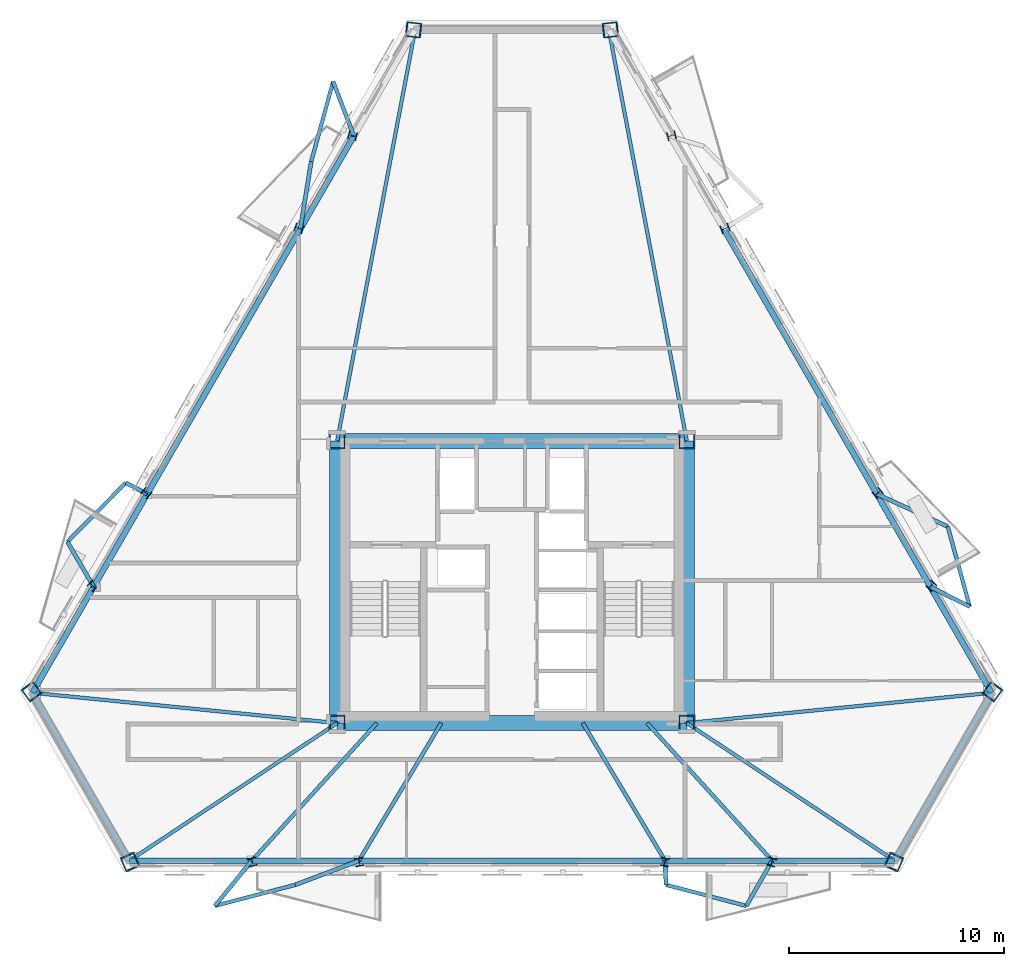
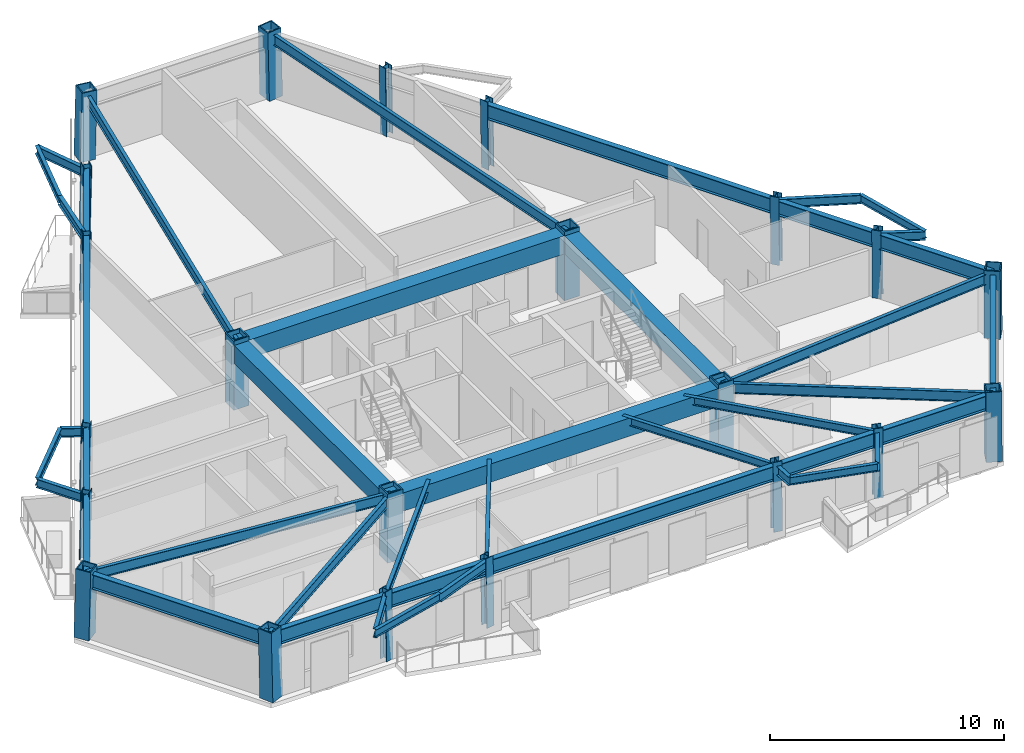
# One storey, part 1 of 9: 43 beams, 22 columns.
"""IFC4 building model written with IfcOpenShell, lengths in metres."""

from ifc_helpers import new_model, si_unit, direction, frame, origin, origin_2d, place, context, subcontext, project, spatial, rectangle, hollow_rectangle, i_section, extrude, material, material_profile, profile_set, type_object, element, save


model = new_model("IFC4")

# Units and contexts
model_context = context("Model", 3, precision=1e-05, world=origin(), true_north=direction((0.0, 1.0)))
body_context = subcontext(model_context, "Body", "Model", "MODEL_VIEW")
ifc_project = project(units=[si_unit("LENGTHUNIT", "METRE"), si_unit("AREAUNIT", "SQUARE_METRE"), si_unit("VOLUMEUNIT", "CUBIC_METRE"), si_unit("PLANEANGLEUNIT", "RADIAN"), si_unit("MASSUNIT", "GRAM", prefix="KILO")], contexts=[model_context])

# Site, building, storey
site_placement = place(None, origin())
site = spatial("IfcSite", under=ifc_project, at=site_placement, CompositionType="ELEMENT")
building_placement = place(site_placement, origin())
building = spatial("IfcBuilding", under=site, at=building_placement, Name="Oramaril Tower", CompositionType="ELEMENT")
storey_placement = place(building_placement, frame((0.0, 0.0, 156.60009765625)))
storey = spatial("IfcBuildingStorey", under=building, at=storey_placement, Name="L41", CompositionType="ELEMENT", Elevation=156.60009765625)

# Columns
ifc_material_1 = material(Name="Steel ASTM A572 Gr 50", Category="steel")
ifc_material_profile_1 = material_profile(ifc_material_1, hollow_rectangle(XDim=0.75, YDim=0.75, WallThickness=0.06005859375, at=origin_2d()), Name="BOX750X750X60")
ifc_profile_set_1 = profile_set([ifc_material_profile_1], Name="Steel ASTM A572 Gr 50")
column_type_1 = type_object("IfcColumnType", Name="CT-CC4", PredefinedType="COLUMN", material=ifc_profile_set_1)
for number, where, z_axis, x_axis, name in (
    (1, (29.35009765625, 11.0, 0.0), (0.0, 0.0, 1.0), (1.0, 0.0, 0.0), "L41 Core Column CC-1"),
    (2, (45.64990234375, 11.0, 0.0), (0.0, 0.0, 1.0), (1.0, 0.0, 0.0), "L41 Core Column CC-2"),
    (3, (45.64990234375, 24.14990234375, 0.0), (0.0, 0.0, 1.0), (1.0, 0.0, 0.0), "L41 Core Column CC-3"),
    (4, (29.35009765625, 24.14990234375, 0.0), (0.0, 0.0, 1.0), (1.0, 0.0, 0.0), "L41 Core Column CC-4"),
):
    element("IfcColumn", number, at=place(storey_placement, frame(where, z_axis=z_axis, x_axis=x_axis)), inside=storey, type_object=column_type_1, Name=name, PredefinedType="COLUMN", context=body_context, shape_type="SweptSolid", body=[
        extrude(hollow_rectangle(XDim=0.75, YDim=0.75, WallThickness=0.06005859375, at=origin_2d()), origin(), (0.0, 0.0, 1.0), 3.599853515625),
    ])
ifc_material_2 = material(Name="Steel ASTM A572 Gr 50", Category="steel")
ifc_material_profile_2 = material_profile(ifc_material_2, hollow_rectangle(XDim=0.699951171875, YDim=0.699951171875, WallThickness=0.054931640625, at=origin_2d()), Name="BOX700X700X55")
ifc_profile_set_2 = profile_set([ifc_material_profile_2], Name="Steel ASTM A572 Gr 50")
column_type_2 = type_object("IfcColumnType", Name="CT-TC4", PredefinedType="COLUMN", material=ifc_profile_set_2)
for number, where, z_axis, x_axis, name in (
    (5, (15.09765625, 12.4765625, 0.00439453125), (0.013729429674, -0.018555120301, 0.999733569643), (0.803870057884, 0.594804951255, 0.0), "L41 Tube Column TC-01"),
    (6, (19.69677734375, 4.5107421875, 0.00439453125), (-0.009175617142, 0.021137903194, 0.999734463294), (-0.917304359682, -0.398186779926, 0.0), "L41 Tube Column TC-02"),
    (7, (55.30322265625, 4.5107421875, 0.00439453125), (0.009175617142, 0.021137903194, 0.999734463294), (-0.917304359682, 0.398186779926, 0.0), "L41 Tube Column TC-03"),
    (8, (59.90234375, 12.4765625, 0.00439453125), (-0.013729429674, -0.018555120301, 0.999733569643), (0.803870057884, -0.594804951255, 0.0), "L41 Tube Column TC-04"),
    (9, (42.09912109375, 43.312744140625, 0.00439453125), (-0.022905055544, -0.002582765907, 0.999734308579), (0.112049553621, -0.993702620271, 0.0), "L41 Tube Column TC-05"),
    (10, (32.90087890625, 43.312744140625, 0.00439453125), (0.022905055544, -0.002582765907, 0.999734308579), (0.112049553621, 0.993702620271, 0.0), "L41 Tube Column TC-06"),
):
    element("IfcColumn", number, at=place(storey_placement, frame(where, z_axis=z_axis, x_axis=x_axis)), inside=storey, type_object=column_type_2, Name=name, PredefinedType="COLUMN", context=body_context, shape_type="SweptSolid", body=[
        extrude(hollow_rectangle(XDim=0.699951171875, YDim=0.699951171875, WallThickness=0.054931640625, at=origin_2d()), origin(), (0.0, 0.0, 1.0), 3.592041015625),
    ])
ifc_material_3 = material(Name="Steel ASTM A572 Gr 50", Category="steel")
ifc_material_profile_3 = material_profile(ifc_material_3, i_section(OverallWidth=0.39892578125, OverallDepth=0.385986328125, WebThickness=0.02099609375, FlangeThickness=0.033203125, at=origin_2d()), Name="W14X176")
ifc_profile_set_3 = profile_set([ifc_material_profile_3], Name="Steel ASTM A572 Gr 50")
column_type_3 = type_object("IfcColumnType", Name="CT-TF4", PredefinedType="COLUMN", material=ifc_profile_set_3)
column_1_placement = place(storey_placement, frame((25.393798828125, 4.5107421875, 0.00439453125), z_axis=(-0.006253154148, 0.021138379783, 0.999757003958), x_axis=(-0.958922443526, -0.283668375577, 0.0)))
element("IfcColumn", 11, at=column_1_placement, inside=storey, type_object=column_type_3, Name="L41 Tube Column TC-07", PredefinedType="COLUMN", context=body_context, shape_type="SweptSolid", body=[
    extrude(i_section(OverallWidth=0.39892578125, OverallDepth=0.385986328125, WebThickness=0.02099609375, FlangeThickness=0.033203125, at=origin_2d()), origin(), (0.0, 0.0, 1.0), 3.592041015625),
])
for number, where, z_axis, x_axis, name in (
    (12, (30.378662109375, 4.5107421875, 0.00439453125), (-0.003670376646, 0.021138650683, 0.999769816399), (-0.985258221768, -0.171073774841, 0.0), "L41 Tube Column TC-08"),
    (13, (44.621337890625, 4.5107421875, 0.00439453125), (0.003670376646, 0.021138650683, 0.999769816399), (-0.985258221768, 0.171073774841, 0.0), "L41 Tube Column TC-09"),
):
    element("IfcColumn", number, at=place(storey_placement, frame(where, z_axis=z_axis, x_axis=x_axis)), inside=storey, type_object=column_type_3, Name=name, PredefinedType="COLUMN", context=body_context, shape_type="SweptSolid", body=[
        extrude(i_section(OverallWidth=0.39892578125, OverallDepth=0.385986328125, WebThickness=0.02099609375, FlangeThickness=0.033203125, at=origin_2d()), origin(), (0.0, 0.0, 1.0), 3.591796875),
    ])
for number, where, z_axis, x_axis, name in (
    (14, (49.606201171875, 4.5107421875, 0.00439453125), (0.006253154148, 0.021138379783, 0.999757003958), (-0.958922443526, 0.283668375577, 0.0), "L41 Tube Column TC-10"),
    (15, (57.0537109375, 17.410400390625, 0.00439453125), (-0.0151570935, -0.016040690879, 0.999756449718), (0.726842306935, -0.686804383248, 0.0), "L41 Tube Column TC-11"),
):
    element("IfcColumn", number, at=place(storey_placement, frame(where, z_axis=z_axis, x_axis=x_axis)), inside=storey, type_object=column_type_3, Name=name, PredefinedType="COLUMN", context=body_context, shape_type="SweptSolid", body=[
        extrude(i_section(OverallWidth=0.39892578125, OverallDepth=0.385986328125, WebThickness=0.02099609375, FlangeThickness=0.033203125, at=origin_2d()), origin(), (0.0, 0.0, 1.0), 3.592041015625),
    ])
for number, where, z_axis, x_axis, name in (
    (16, (54.561279296875, 21.727294921875, 0.00439453125), (-0.01644873519, -0.013729935985, 0.999770437635), (0.640808251005, -0.767700973976, 0.0), "L41 Tube Column TC-12"),
    (17, (47.440185546875, 34.06201171875, 0.00439453125), (-0.020187050429, -0.007408715477, 0.999768770231), (0.34453325986, -0.938774111728, 0.0), "L41 Tube Column TC-13"),
):
    element("IfcColumn", number, at=place(storey_placement, frame(where, z_axis=z_axis, x_axis=x_axis)), inside=storey, type_object=column_type_3, Name=name, PredefinedType="COLUMN", context=body_context, shape_type="SweptSolid", body=[
        extrude(i_section(OverallWidth=0.39892578125, OverallDepth=0.385986328125, WebThickness=0.02099609375, FlangeThickness=0.033203125, at=origin_2d()), origin(), (0.0, 0.0, 1.0), 3.591796875),
    ])
for number, where, z_axis, x_axis, name in (
    (18, (44.947509765625, 38.37890625, 0.00439453125), (-0.021410272618, -0.005097683957, 0.999757777586), (0.231620527306, -0.972806214685, 0.0), "L41 Tube Column TC-14"),
    (19, (30.052490234375, 38.37890625, 0.00439453125), (0.021410272618, -0.005097683957, 0.999757777586), (0.231620527306, 0.972806214685, 0.0), "L41 Tube Column TC-15"),
):
    element("IfcColumn", number, at=place(storey_placement, frame(where, z_axis=z_axis, x_axis=x_axis)), inside=storey, type_object=column_type_3, Name=name, PredefinedType="COLUMN", context=body_context, shape_type="SweptSolid", body=[
        extrude(i_section(OverallWidth=0.39892578125, OverallDepth=0.385986328125, WebThickness=0.02099609375, FlangeThickness=0.033203125, at=origin_2d()), origin(), (0.0, 0.0, 1.0), 3.592041015625),
    ])
for number, where, z_axis, x_axis, name in (
    (20, (27.559814453125, 34.06201171875, 0.00439453125), (0.020187050429, -0.007408715477, 0.999768770231), (0.34453325986, 0.938774111728, 0.0), "L41 Tube Column TC-16"),
    (21, (20.438720703125, 21.727294921875, 0.00439453125), (0.01644873519, -0.013729935985, 0.999770437635), (0.640808251005, 0.767700973976, 0.0), "L41 Tube Column TC-17"),
):
    element("IfcColumn", number, at=place(storey_placement, frame(where, z_axis=z_axis, x_axis=x_axis)), inside=storey, type_object=column_type_3, Name=name, PredefinedType="COLUMN", context=body_context, shape_type="SweptSolid", body=[
        extrude(i_section(OverallWidth=0.39892578125, OverallDepth=0.385986328125, WebThickness=0.02099609375, FlangeThickness=0.033203125, at=origin_2d()), origin(), (0.0, 0.0, 1.0), 3.591796875),
    ])
column_2_placement = place(storey_placement, frame((17.9462890625, 17.410400390625, 0.00439453125), z_axis=(0.0151570935, -0.016040690879, 0.999756449718), x_axis=(0.726842306935, 0.686804383248, 0.0)))
element("IfcColumn", 22, at=column_2_placement, inside=storey, type_object=column_type_3, Name="L41 Tube Column TC-18", PredefinedType="COLUMN", context=body_context, shape_type="SweptSolid", body=[
    extrude(i_section(OverallWidth=0.39892578125, OverallDepth=0.385986328125, WebThickness=0.02099609375, FlangeThickness=0.033203125, at=origin_2d()), origin(), (0.0, 0.0, 1.0), 3.592041015625),
])

# Beams
ifc_material_4 = material(Name="Steel ASTM A572 Gr 50", Category="steel")
ifc_material_profile_4 = material_profile(ifc_material_4, i_section(OverallWidth=0.19091796875, OverallDepth=0.45703125, WebThickness=0.009033203125, FlangeThickness=0.014404296875, at=origin_2d()), Name="W18X50")
ifc_profile_set_4 = profile_set([ifc_material_profile_4], Name="Steel ASTM A572 Gr 50")
beam_type_1 = type_object("IfcBeamType", Name="BT-BB1", PredefinedType="BEAM", material=ifc_profile_set_4)
beam_1_placement = place(storey_placement, frame((25.371337890625, 4.586669921875, 3.1513671875), z_axis=(-0.632259993349, -0.774756284783, 0.0), x_axis=(0.774756284783, -0.632259993349, 0.0)))
element("IfcBeam", 23, at=beam_1_placement, inside=storey, type_object=beam_type_1, Name="L41 Balcony Column-Framed Cantilever 01.1", PredefinedType="BEAM", context=body_context, shape_type="SweptSolid", body=[
    extrude(i_section(OverallWidth=0.19091796875, OverallDepth=0.45703125, WebThickness=0.009033203125, FlangeThickness=0.014404296875, at=origin_2d()), origin(), (0.0, 0.0, 1.0), 2.720703125),
])
beam_2_placement = place(storey_placement, frame((30.365478515625, 4.586669921875, 3.1513671875), z_axis=(-0.9348718293, -0.354985440237, 0.0), x_axis=(0.354985440237, -0.9348718293, 0.0)))
element("IfcBeam", 24, at=beam_2_placement, inside=storey, type_object=beam_type_1, Name="L41 Balcony Column-Framed Cantilever 01.2", PredefinedType="BEAM", context=body_context, shape_type="SweptSolid", body=[
    extrude(i_section(OverallWidth=0.19091796875, OverallDepth=0.45703125, WebThickness=0.009033203125, FlangeThickness=0.014404296875, at=origin_2d()), origin(), (0.0, 0.0, 1.0), 3.177490234375),
])
beam_3_placement = place(storey_placement, frame((44.634521484375, 4.586669921875, 3.1513671875), z_axis=(0.040227152436, -0.999190560507, 0.0), x_axis=(0.999190560507, 0.040227152436, 0.0)))
element("IfcBeam", 25, at=beam_3_placement, inside=storey, type_object=beam_type_1, Name="L41 Balcony Column-Framed Cantilever 02.1", PredefinedType="BEAM", context=body_context, shape_type="SweptSolid", body=[
    extrude(i_section(OverallWidth=0.19091796875, OverallDepth=0.45703125, WebThickness=0.009033203125, FlangeThickness=0.014404296875, at=origin_2d()), origin(), (0.0, 0.0, 1.0), 1.12890625),
])
beam_4_placement = place(storey_placement, frame((49.628662109375, 4.586669921875, 3.1513671875), z_axis=(-0.496236395734, -0.868187444938, 0.0), x_axis=(0.868187444938, -0.496236395734, 0.0)))
element("IfcBeam", 26, at=beam_4_placement, inside=storey, type_object=beam_type_1, Name="L41 Balcony Column-Framed Cantilever 02.2", PredefinedType="BEAM", context=body_context, shape_type="SweptSolid", body=[
    extrude(i_section(OverallWidth=0.19091796875, OverallDepth=0.45703125, WebThickness=0.009033203125, FlangeThickness=0.014404296875, at=origin_2d()), origin(), (0.0, 0.0, 1.0), 2.427978515625),
])
beam_5_placement = place(storey_placement, frame((56.999267578125, 17.352783203125, 3.1513671875), z_axis=(0.893046113338, -0.449965153597, 0.0), x_axis=(0.449965153597, 0.893046113338, 0.0)))
element("IfcBeam", 27, at=beam_5_placement, inside=storey, type_object=beam_type_1, Name="L41 Balcony Column-Framed Cantilever 03.1", PredefinedType="BEAM", context=body_context, shape_type="SweptSolid", body=[
    extrude(i_section(OverallWidth=0.19091796875, OverallDepth=0.45703125, WebThickness=0.009033203125, FlangeThickness=0.014404296875, at=origin_2d()), origin(), (0.0, 0.0, 1.0), 2.056884765625),
])
beam_6_placement = place(storey_placement, frame((54.502197265625, 21.677978515625, 3.1513671875), z_axis=(0.908974885307, -0.416850882068, 0.0), x_axis=(0.416850882068, 0.908974885307, 0.0)))
element("IfcBeam", 28, at=beam_6_placement, inside=storey, type_object=beam_type_1, Name="L41 Balcony Column-Framed Cantilever 03.2", PredefinedType="BEAM", context=body_context, shape_type="SweptSolid", body=[
    extrude(i_section(OverallWidth=0.19091796875, OverallDepth=0.45703125, WebThickness=0.009033203125, FlangeThickness=0.014404296875, at=origin_2d()), origin(), (0.0, 0.0, 1.0), 3.642333984375),
])
beam_7_placement = place(storey_placement, frame((30.12939453125, 38.360595703125, 3.1513671875), z_axis=(-0.35488685265, 0.9349092586, 0.0), x_axis=(-0.9349092586, -0.35488685265, 0.0)))
element("IfcBeam", 29, at=beam_7_placement, inside=storey, type_object=beam_type_1, Name="L41 Balcony Column-Framed Cantilever 05.1", PredefinedType="BEAM", context=body_context, shape_type="SweptSolid", body=[
    extrude(i_section(OverallWidth=0.19091796875, OverallDepth=0.45703125, WebThickness=0.009033203125, FlangeThickness=0.014404296875, at=origin_2d()), origin(), (0.0, 0.0, 1.0), 2.720703125),
])
beam_8_placement = place(storey_placement, frame((27.63232421875, 34.035400390625, 3.1513671875), z_axis=(0.159974031801, 0.987121223128, 0.0), x_axis=(-0.987121223128, 0.159974031801, 0.0)))
element("IfcBeam", 30, at=beam_8_placement, inside=storey, type_object=beam_type_1, Name="L41 Balcony Column-Framed Cantilever 05.2", PredefinedType="BEAM", context=body_context, shape_type="SweptSolid", body=[
    extrude(i_section(OverallWidth=0.19091796875, OverallDepth=0.45703125, WebThickness=0.009033203125, FlangeThickness=0.014404296875, at=origin_2d()), origin(), (0.0, 0.0, 1.0), 3.177490234375),
])
beam_9_placement = place(storey_placement, frame((20.497802734375, 21.677978515625, 3.1513671875), z_axis=(-0.885340044843, 0.464944088034, 0.0), x_axis=(-0.464944088034, -0.885340044843, 0.0)))
element("IfcBeam", 31, at=beam_9_placement, inside=storey, type_object=beam_type_1, Name="L41 Balcony Column-Framed Cantilever 06.1", PredefinedType="BEAM", context=body_context, shape_type="SweptSolid", body=[
    extrude(i_section(OverallWidth=0.19091796875, OverallDepth=0.45703125, WebThickness=0.009033203125, FlangeThickness=0.014404296875, at=origin_2d()), origin(), (0.0, 0.0, 1.0), 1.12890625),
])
beam_10_placement = place(storey_placement, frame((18.000732421875, 17.352783203125, 3.1513671875), z_axis=(-0.503764738932, 0.863840892647, 0.0), x_axis=(-0.863840892647, -0.503764738932, 0.0)))
element("IfcBeam", 32, at=beam_10_placement, inside=storey, type_object=beam_type_1, Name="L41 Balcony Column-Framed Cantilever 06.2", PredefinedType="BEAM", context=body_context, shape_type="SweptSolid", body=[
    extrude(i_section(OverallWidth=0.19091796875, OverallDepth=0.45703125, WebThickness=0.009033203125, FlangeThickness=0.014404296875, at=origin_2d()), origin(), (0.0, 0.0, 1.0), 2.427978515625),
])
ifc_material_5 = material(Name="Concrete C50/60", Category="concrete")
ifc_material_profile_5 = material_profile(ifc_material_5, rectangle(XDim=0.699951171875, YDim=0.949951171875, at=origin_2d()), Name="CB700X950")
ifc_profile_set_5 = profile_set([ifc_material_profile_5], Name="Concrete C50/60")
beam_type_2 = type_object("IfcBeamType", Name="BT-CB1", PredefinedType="BEAM", material=ifc_profile_set_5)
beam_11_placement = place(storey_placement, frame((29.35009765625, 11.0, 2.90478515625), z_axis=(1.0, 0.0, 0.0), x_axis=(0.0, 1.0, 0.0)))
element("IfcBeam", 33, at=beam_11_placement, inside=storey, type_object=beam_type_2, Name="L41 Core Header Beam CB-1", PredefinedType="BEAM", context=body_context, shape_type="SweptSolid", body=[
    extrude(rectangle(XDim=0.699951171875, YDim=0.949951171875, at=origin_2d()), origin(), (0.0, 0.0, 1.0), 16.2998046875),
])
beam_12_placement = place(storey_placement, frame((45.64990234375, 11.0, 2.90478515625), z_axis=(0.0, 1.0, 0.0), x_axis=(-1.0, 0.0, 0.0)))
element("IfcBeam", 34, at=beam_12_placement, inside=storey, type_object=beam_type_2, Name="L41 Core Header Beam CB-2", PredefinedType="BEAM", context=body_context, shape_type="SweptSolid", body=[
    extrude(rectangle(XDim=0.699951171875, YDim=0.949951171875, at=origin_2d()), origin(), (0.0, 0.0, 1.0), 13.14990234375),
])
beam_13_placement = place(storey_placement, frame((45.64990234375, 24.14990234375, 2.90478515625), z_axis=(-1.0, 0.0, 0.0), x_axis=(0.0, -1.0, 0.0)))
element("IfcBeam", 35, at=beam_13_placement, inside=storey, type_object=beam_type_2, Name="L41 Core Header Beam CB-3", PredefinedType="BEAM", context=body_context, shape_type="SweptSolid", body=[
    extrude(rectangle(XDim=0.699951171875, YDim=0.949951171875, at=origin_2d()), origin(), (0.0, 0.0, 1.0), 16.2998046875),
])
beam_14_placement = place(storey_placement, frame((29.35009765625, 24.14990234375, 2.90478515625), z_axis=(0.0, -1.0, 0.0), x_axis=(1.0, 0.0, 0.0)))
element("IfcBeam", 36, at=beam_14_placement, inside=storey, type_object=beam_type_2, Name="L41 Core Header Beam CB-4", PredefinedType="BEAM", context=body_context, shape_type="SweptSolid", body=[
    extrude(rectangle(XDim=0.699951171875, YDim=0.949951171875, at=origin_2d()), origin(), (0.0, 0.0, 1.0), 13.14990234375),
])
ifc_material_6 = material(Name="Steel ASTM A572 Gr 50", Category="steel")
ifc_material_profile_6 = material_profile(ifc_material_6, i_section(OverallWidth=0.166015625, OverallDepth=0.528076171875, WebThickness=0.009765625, FlangeThickness=0.013671875, at=origin_2d()), Name="W21X50")
ifc_profile_set_6 = profile_set([ifc_material_profile_6], Name="Steel ASTM A572 Gr 50")
beam_type_3 = type_object("IfcBeamType", Name="BT-FB3", PredefinedType="BEAM", material=ifc_profile_set_6)
beam_15_placement = place(storey_placement, frame((29.35009765625, 11.0, 3.115966796875), z_axis=(-0.995109075121, 0.098782228218, 0.0), x_axis=(-0.098782228218, -0.995109075121, 0.0)))
element("IfcBeam", 37, at=beam_15_placement, inside=storey, type_object=beam_type_3, Name="L41 Radial Primary Beam RB-01", PredefinedType="BEAM", context=body_context, shape_type="SweptSolid", body=[
    extrude(i_section(OverallWidth=0.166015625, OverallDepth=0.528076171875, WebThickness=0.009765625, FlangeThickness=0.013671875, at=origin_2d()), origin(), (0.0, 0.0, 1.0), 14.27294921875),
])
for number, where, z_axis, x_axis, name in (
    (38, (29.35009765625, 11.0, 3.115966796875), (-0.833801754271, -0.552063976886, 0.0), (0.552063976886, -0.833801754271, 0.0), "L41 Radial Primary Beam RB-02"),
    (39, (45.64990234375, 11.0, 3.115966796875), (0.833801754271, -0.552063976886, 0.0), (0.552063976886, 0.833801754271, 0.0), "L41 Radial Primary Beam RB-03"),
):
    element("IfcBeam", number, at=place(storey_placement, frame(where, z_axis=z_axis, x_axis=x_axis)), inside=storey, type_object=beam_type_3, Name=name, PredefinedType="BEAM", context=body_context, shape_type="SweptSolid", body=[
        extrude(i_section(OverallWidth=0.166015625, OverallDepth=0.528076171875, WebThickness=0.009765625, FlangeThickness=0.013671875, at=origin_2d()), origin(), (0.0, 0.0, 1.0), 11.616943359375),
    ])
beam_16_placement = place(storey_placement, frame((45.64990234375, 11.0, 3.115966796875), z_axis=(0.995109075121, 0.098782228218, 0.0), x_axis=(-0.098782228218, 0.995109075121, 0.0)))
element("IfcBeam", 40, at=beam_16_placement, inside=storey, type_object=beam_type_3, Name="L41 Radial Primary Beam RB-04", PredefinedType="BEAM", context=body_context, shape_type="SweptSolid", body=[
    extrude(i_section(OverallWidth=0.166015625, OverallDepth=0.528076171875, WebThickness=0.009765625, FlangeThickness=0.013671875, at=origin_2d()), origin(), (0.0, 0.0, 1.0), 14.27294921875),
])
for number, where, z_axis, x_axis, name in (
    (41, (45.64990234375, 24.14990234375, 3.115966796875), (-0.186357619454, 0.982481978294, 0.0), (-0.982481978294, -0.186357619454, 0.0), "L41 Radial Primary Beam RB-05"),
    (42, (29.35009765625, 24.14990234375, 3.115966796875), (0.186357619454, 0.982481978294, 0.0), (-0.982481978294, 0.186357619454, 0.0), "L41 Radial Primary Beam RB-06"),
):
    element("IfcBeam", number, at=place(storey_placement, frame(where, z_axis=z_axis, x_axis=x_axis)), inside=storey, type_object=beam_type_3, Name=name, PredefinedType="BEAM", context=body_context, shape_type="SweptSolid", body=[
        extrude(i_section(OverallWidth=0.166015625, OverallDepth=0.528076171875, WebThickness=0.009765625, FlangeThickness=0.013671875, at=origin_2d()), origin(), (0.0, 0.0, 1.0), 19.4951171875),
    ])
ifc_material_7 = material(Name="Steel ASTM A572 Gr 50", Category="steel")
ifc_material_profile_7 = material_profile(ifc_material_7, i_section(OverallWidth=0.177978515625, OverallDepth=0.404052734375, WebThickness=0.007568359375, FlangeThickness=0.010986328125, at=origin_2d()), Name="W16X36")
ifc_profile_set_7 = profile_set([ifc_material_profile_7], Name="Steel ASTM A572 Gr 50")
beam_type_4 = type_object("IfcBeamType", Name="BT-SB1", PredefinedType="BEAM", material=ifc_profile_set_7)
beam_17_placement = place(storey_placement, frame((31.199951171875, 11.0, 3.177978515625), z_axis=(-0.672566219744, -0.740036945064, 0.0), x_axis=(0.740036945064, -0.672566219744, 0.0)))
element("IfcBeam", 43, at=beam_17_placement, inside=storey, type_object=beam_type_4, Name="L41 Secondary Floor Beam SB-01", PredefinedType="BEAM", context=body_context, shape_type="SweptSolid", body=[
    extrude(i_section(OverallWidth=0.177978515625, OverallDepth=0.404052734375, WebThickness=0.007568359375, FlangeThickness=0.010986328125, at=origin_2d()), origin(), (0.0, 0.0, 1.0), 8.666259765625),
])
for number, where, z_axis, x_axis, name in (
    (44, (34.199951171875, 11.0, 3.177978515625), (-0.513164186104, -0.858290462548, 0.0), (0.858290462548, -0.513164186104, 0.0), "L41 Secondary Floor Beam SB-02"),
    (45, (40.800048828125, 11.0, 3.177978515625), (0.513164186104, -0.858290462548, 0.0), (0.858290462548, 0.513164186104, 0.0), "L41 Secondary Floor Beam SB-03"),
):
    element("IfcBeam", number, at=place(storey_placement, frame(where, z_axis=z_axis, x_axis=x_axis)), inside=storey, type_object=beam_type_4, Name=name, PredefinedType="BEAM", context=body_context, shape_type="SweptSolid", body=[
        extrude(i_section(OverallWidth=0.177978515625, OverallDepth=0.404052734375, WebThickness=0.007568359375, FlangeThickness=0.010986328125, at=origin_2d()), origin(), (0.0, 0.0, 1.0), 7.47216796875),
    ])
beam_18_placement = place(storey_placement, frame((43.800048828125, 11.0, 3.177978515625), z_axis=(0.672566219744, -0.740036945064, 0.0), x_axis=(0.740036945064, 0.672566219744, 0.0)))
element("IfcBeam", 46, at=beam_18_placement, inside=storey, type_object=beam_type_4, Name="L41 Secondary Floor Beam SB-04", PredefinedType="BEAM", context=body_context, shape_type="SweptSolid", body=[
    extrude(i_section(OverallWidth=0.177978515625, OverallDepth=0.404052734375, WebThickness=0.007568359375, FlangeThickness=0.010986328125, at=origin_2d()), origin(), (0.0, 0.0, 1.0), 8.666259765625),
])
for number, where, z_axis, x_axis, name in (
    (47, (23.651123046875, 2.478759765625, 3.177978515625), (0.967407922874, 0.253223045479, 0.0), (-0.253223045479, 0.967407922874, 0.0), "L41 Balcony Edge Tie Beam 01"),
    (48, (44.679931640625, 3.458740234375, 3.177978515625), (0.967407922874, -0.253223045479, 0.0), (0.253223045479, 0.967407922874, 0.0), "L41 Balcony Edge Tie Beam 02"),
    (49, (58.836181640625, 16.42724609375, 3.177978515625), (-0.264382243015, 0.964417974521, 0.0), (-0.964417974521, -0.264382243015, 0.0), "L41 Balcony Edge Tie Beam 03"),
    (50, (29.163818359375, 40.904296875, 3.177978515625), (-0.264382243015, -0.964417974521, 0.0), (0.964417974521, -0.264382243015, 0.0), "L41 Balcony Edge Tie Beam 05"),
):
    element("IfcBeam", number, at=place(storey_placement, frame(where, z_axis=z_axis, x_axis=x_axis)), inside=storey, type_object=beam_type_4, Name=name, PredefinedType="BEAM", context=body_context, shape_type="SweptSolid", body=[
        extrude(i_section(OverallWidth=0.177978515625, OverallDepth=0.404052734375, WebThickness=0.007568359375, FlangeThickness=0.010986328125, at=origin_2d()), origin(), (0.0, 0.0, 1.0), 3.8701171875),
    ])
beam_19_placement = place(storey_placement, frame((19.498291015625, 22.202880859375, 3.177978515625), z_axis=(-0.702962973102, -0.711226446673, 0.0), x_axis=(0.711226446673, -0.702962973102, 0.0)))
element("IfcBeam", 51, at=beam_19_placement, inside=storey, type_object=beam_type_4, Name="L41 Balcony Edge Tie Beam 06", PredefinedType="BEAM", context=body_context, shape_type="SweptSolid", body=[
    extrude(i_section(OverallWidth=0.177978515625, OverallDepth=0.404052734375, WebThickness=0.007568359375, FlangeThickness=0.010986328125, at=origin_2d()), origin(), (0.0, 0.0, 1.0), 3.870361328125),
])
ifc_material_8 = material(Name="Steel ASTM A572 Gr 50", Category="steel")
ifc_material_profile_8 = material_profile(ifc_material_8, i_section(OverallWidth=0.26708984375, OverallDepth=0.77001953125, WebThickness=0.015625, FlangeThickness=0.025390625, at=origin_2d()), Name="W30X132")
ifc_profile_set_8 = profile_set([ifc_material_profile_8], Name="Steel ASTM A572 Gr 50")
beam_type_5 = type_object("IfcBeamType", Name="BT-SP3", PredefinedType="SPANDREL", material=ifc_profile_set_8)
beam_20_placement = place(storey_placement, frame((15.14697265625, 12.409912109375, 2.994873046875), z_axis=(0.500007864018, -0.866020863444, 0.0), x_axis=(0.866020863444, 0.500007864018, 0.0)))
element("IfcBeam", 52, at=beam_20_placement, inside=storey, type_object=beam_type_5, Name="L41 Perimeter Spandrel 01", PredefinedType="SPANDREL", context=body_context, shape_type="SweptSolid", body=[
    extrude(i_section(OverallWidth=0.26708984375, OverallDepth=0.77001953125, WebThickness=0.015625, FlangeThickness=0.025390625, at=origin_2d()), origin(), (0.0, 0.0, 1.0), 9.033447265625),
])
beam_21_placement = place(storey_placement, frame((19.663818359375, 4.586669921875, 2.994873046875), z_axis=(1.0, 0.0, 0.0), x_axis=(0.0, 1.0, 0.0)))
element("IfcBeam", 53, at=beam_21_placement, inside=storey, type_object=beam_type_5, Name="L41 Perimeter Spandrel 02", PredefinedType="SPANDREL", context=body_context, shape_type="SweptSolid", body=[
    extrude(i_section(OverallWidth=0.26708984375, OverallDepth=0.77001953125, WebThickness=0.015625, FlangeThickness=0.025390625, at=origin_2d()), origin(), (0.0, 0.0, 1.0), 5.70751953125),
])
beam_22_placement = place(storey_placement, frame((25.371337890625, 4.586669921875, 2.994873046875), z_axis=(1.0, 0.0, 0.0), x_axis=(0.0, 1.0, 0.0)))
element("IfcBeam", 54, at=beam_22_placement, inside=storey, type_object=beam_type_5, Name="L41 Perimeter Spandrel 03", PredefinedType="SPANDREL", context=body_context, shape_type="SweptSolid", body=[
    extrude(i_section(OverallWidth=0.26708984375, OverallDepth=0.77001953125, WebThickness=0.015625, FlangeThickness=0.025390625, at=origin_2d()), origin(), (0.0, 0.0, 1.0), 4.994140625),
])
beam_23_placement = place(storey_placement, frame((30.365478515625, 4.586669921875, 2.994873046875), z_axis=(1.0, 0.0, 0.0), x_axis=(0.0, 1.0, 0.0)))
element("IfcBeam", 55, at=beam_23_placement, inside=storey, type_object=beam_type_5, Name="L41 Perimeter Spandrel 04", PredefinedType="SPANDREL", context=body_context, shape_type="SweptSolid", body=[
    extrude(i_section(OverallWidth=0.26708984375, OverallDepth=0.77001953125, WebThickness=0.015625, FlangeThickness=0.025390625, at=origin_2d()), origin(), (0.0, 0.0, 1.0), 14.26904296875),
])
beam_24_placement = place(storey_placement, frame((44.634521484375, 4.586669921875, 2.994873046875), z_axis=(1.0, 0.0, 0.0), x_axis=(0.0, 1.0, 0.0)))
element("IfcBeam", 56, at=beam_24_placement, inside=storey, type_object=beam_type_5, Name="L41 Perimeter Spandrel 05", PredefinedType="SPANDREL", context=body_context, shape_type="SweptSolid", body=[
    extrude(i_section(OverallWidth=0.26708984375, OverallDepth=0.77001953125, WebThickness=0.015625, FlangeThickness=0.025390625, at=origin_2d()), origin(), (0.0, 0.0, 1.0), 4.994140625),
])
beam_25_placement = place(storey_placement, frame((49.628662109375, 4.586669921875, 2.994873046875), z_axis=(1.0, 0.0, 0.0), x_axis=(0.0, 1.0, 0.0)))
element("IfcBeam", 57, at=beam_25_placement, inside=storey, type_object=beam_type_5, Name="L41 Perimeter Spandrel 06", PredefinedType="SPANDREL", context=body_context, shape_type="SweptSolid", body=[
    extrude(i_section(OverallWidth=0.26708984375, OverallDepth=0.77001953125, WebThickness=0.015625, FlangeThickness=0.025390625, at=origin_2d()), origin(), (0.0, 0.0, 1.0), 5.70751953125),
])
beam_26_placement = place(storey_placement, frame((55.336181640625, 4.586669921875, 2.994873046875), z_axis=(0.500007864018, 0.866020863444, 0.0), x_axis=(-0.866020863444, 0.500007864018, 0.0)))
element("IfcBeam", 58, at=beam_26_placement, inside=storey, type_object=beam_type_5, Name="L41 Perimeter Spandrel 07", PredefinedType="SPANDREL", context=body_context, shape_type="SweptSolid", body=[
    extrude(i_section(OverallWidth=0.26708984375, OverallDepth=0.77001953125, WebThickness=0.015625, FlangeThickness=0.025390625, at=origin_2d()), origin(), (0.0, 0.0, 1.0), 9.033447265625),
])
beam_27_placement = place(storey_placement, frame((59.85302734375, 12.409912109375, 2.994873046875), z_axis=(-0.499998923669, 0.866026025204, 0.0), x_axis=(-0.866026025204, -0.499998923669, 0.0)))
element("IfcBeam", 59, at=beam_27_placement, inside=storey, type_object=beam_type_5, Name="L41 Perimeter Spandrel 08", PredefinedType="SPANDREL", context=body_context, shape_type="SweptSolid", body=[
    extrude(i_section(OverallWidth=0.26708984375, OverallDepth=0.77001953125, WebThickness=0.015625, FlangeThickness=0.025390625, at=origin_2d()), origin(), (0.0, 0.0, 1.0), 5.70751953125),
])
beam_28_placement = place(storey_placement, frame((56.999267578125, 17.352783203125, 2.994873046875), z_axis=(-0.499987630939, 0.866032544947, 0.0), x_axis=(-0.866032544947, -0.499987630939, 0.0)))
element("IfcBeam", 60, at=beam_28_placement, inside=storey, type_object=beam_type_5, Name="L41 Perimeter Spandrel 09", PredefinedType="SPANDREL", context=body_context, shape_type="SweptSolid", body=[
    extrude(i_section(OverallWidth=0.26708984375, OverallDepth=0.77001953125, WebThickness=0.015625, FlangeThickness=0.025390625, at=origin_2d()), origin(), (0.0, 0.0, 1.0), 4.994384765625),
])
beam_29_placement = place(storey_placement, frame((54.502197265625, 21.677978515625, 2.994873046875), z_axis=(-0.499997931106, 0.866026598257, 0.0), x_axis=(-0.866026598257, -0.499997931106, 0.0)))
element("IfcBeam", 61, at=beam_29_placement, inside=storey, type_object=beam_type_5, Name="L41 Perimeter Spandrel 10", PredefinedType="SPANDREL", context=body_context, shape_type="SweptSolid", body=[
    extrude(i_section(OverallWidth=0.26708984375, OverallDepth=0.77001953125, WebThickness=0.015625, FlangeThickness=0.025390625, at=origin_2d()), origin(), (0.0, 0.0, 1.0), 14.26904296875),
])
beam_30_placement = place(storey_placement, frame((30.12939453125, 38.360595703125, 2.994873046875), z_axis=(-0.499987630939, -0.866032544947, 0.0), x_axis=(0.866032544947, -0.499987630939, 0.0)))
element("IfcBeam", 62, at=beam_30_placement, inside=storey, type_object=beam_type_5, Name="L41 Perimeter Spandrel 15", PredefinedType="SPANDREL", context=body_context, shape_type="SweptSolid", body=[
    extrude(i_section(OverallWidth=0.26708984375, OverallDepth=0.77001953125, WebThickness=0.015625, FlangeThickness=0.025390625, at=origin_2d()), origin(), (0.0, 0.0, 1.0), 4.994384765625),
])
beam_31_placement = place(storey_placement, frame((27.63232421875, 34.035400390625, 2.994873046875), z_axis=(-0.499997931106, -0.866026598257, 0.0), x_axis=(0.866026598257, -0.499997931106, 0.0)))
element("IfcBeam", 63, at=beam_31_placement, inside=storey, type_object=beam_type_5, Name="L41 Perimeter Spandrel 16", PredefinedType="SPANDREL", context=body_context, shape_type="SweptSolid", body=[
    extrude(i_section(OverallWidth=0.26708984375, OverallDepth=0.77001953125, WebThickness=0.015625, FlangeThickness=0.025390625, at=origin_2d()), origin(), (0.0, 0.0, 1.0), 14.26904296875),
])
beam_32_placement = place(storey_placement, frame((20.497802734375, 21.677978515625, 2.994873046875), z_axis=(-0.499987630939, -0.866032544947, 0.0), x_axis=(0.866032544947, -0.499987630939, 0.0)))
element("IfcBeam", 64, at=beam_32_placement, inside=storey, type_object=beam_type_5, Name="L41 Perimeter Spandrel 17", PredefinedType="SPANDREL", context=body_context, shape_type="SweptSolid", body=[
    extrude(i_section(OverallWidth=0.26708984375, OverallDepth=0.77001953125, WebThickness=0.015625, FlangeThickness=0.025390625, at=origin_2d()), origin(), (0.0, 0.0, 1.0), 4.994384765625),
])
beam_33_placement = place(storey_placement, frame((18.000732421875, 17.352783203125, 2.994873046875), z_axis=(-0.499998923669, -0.866026025204, 0.0), x_axis=(0.866026025204, -0.499998923669, 0.0)))
element("IfcBeam", 65, at=beam_33_placement, inside=storey, type_object=beam_type_5, Name="L41 Perimeter Spandrel 18", PredefinedType="SPANDREL", context=body_context, shape_type="SweptSolid", body=[
    extrude(i_section(OverallWidth=0.26708984375, OverallDepth=0.77001953125, WebThickness=0.015625, FlangeThickness=0.025390625, at=origin_2d()), origin(), (0.0, 0.0, 1.0), 5.70751953125),
])

save(model, "model.ifc")
